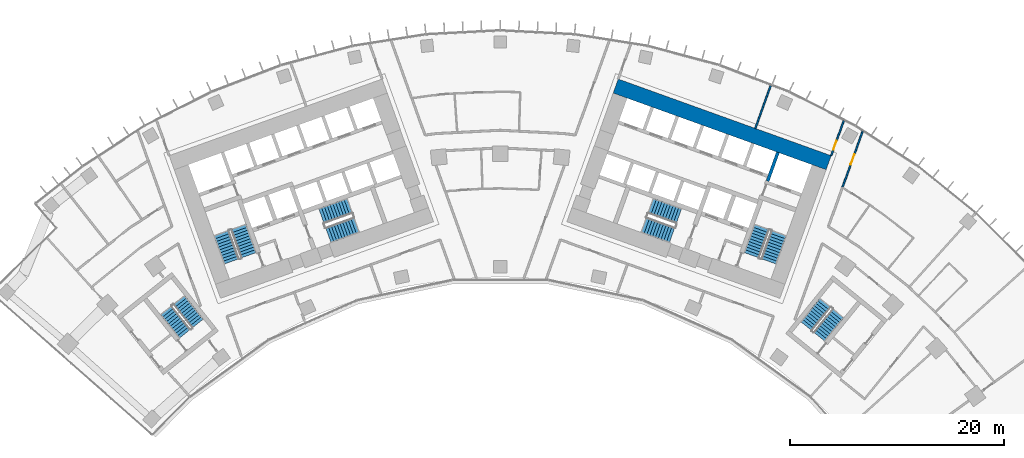
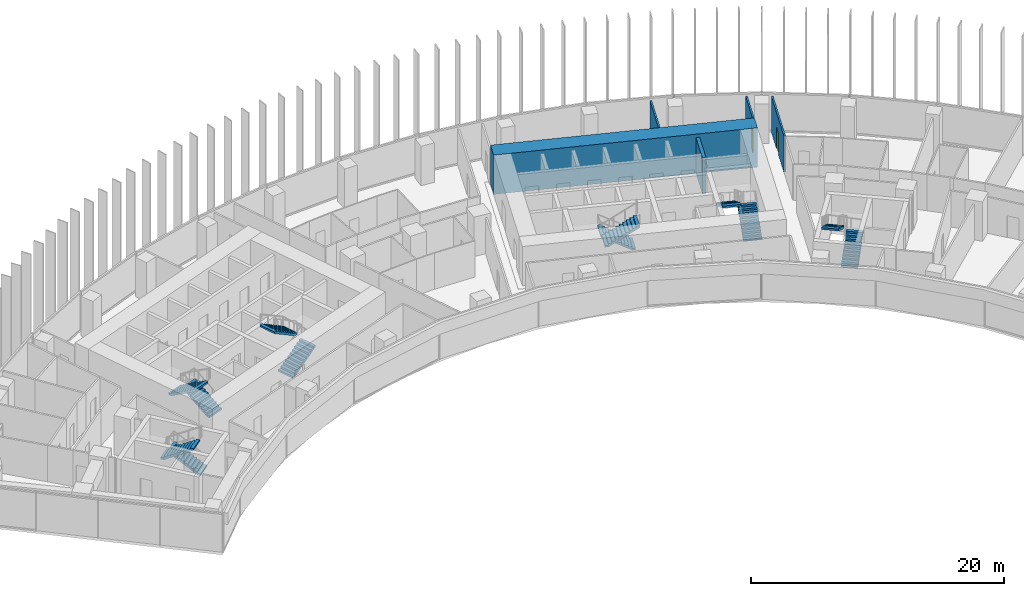
# One storey, part 20 of 22: 12 stair flights, 5 walls, 2 doors, 2 openings, 6 elements without a shape of their own.
"""IFC4 building model written with IfcOpenShell, lengths in metres."""

from ifc_helpers import new_model, si_unit, direction, frame, frame_2d, origin, place, context, subcontext, project, spatial, polyline, rectangle, outline, extrude, material, layer, layer_set, type_object, element, fill, aggregate, save


model = new_model("IFC4")

# Units and contexts
model_context = context("Model", 3, precision=1e-05, world=origin(), true_north=direction((0.0, 1.0)))
body_context = subcontext(model_context, "Body", "Model", "MODEL_VIEW")
ifc_project = project(units=[si_unit("LENGTHUNIT", "METRE"), si_unit("AREAUNIT", "SQUARE_METRE"), si_unit("VOLUMEUNIT", "CUBIC_METRE"), si_unit("PLANEANGLEUNIT", "RADIAN"), si_unit("MASSUNIT", "GRAM", prefix="KILO")], contexts=[model_context])

# Site, building, storey
site_placement = place(None, origin())
site = spatial("IfcSite", under=ifc_project, at=site_placement, CompositionType="ELEMENT")
building_placement = place(site_placement, origin())
building = spatial("IfcBuilding", under=site, at=building_placement, Name="Stone Belt Terrace Tower", CompositionType="ELEMENT")
storey_placement = place(building_placement, frame((0.0, 0.0, 121.199951171875)))
storey = spatial("IfcBuildingStorey", under=building, at=storey_placement, Name="L29", CompositionType="ELEMENT", Elevation=121.199951171875)

# Walls
ifc_material_1 = material(Name="Concrete B80", Category="concrete")
ifc_layer_1 = layer(ifc_material_1, 1.39990234375)
ifc_layer_set_1 = layer_set([ifc_layer_1], Name="Core wall 1400 B80")
wall_type_1 = type_object("IfcWallType", Name="Core wall 1400 B80", PredefinedType="SHEAR", material=ifc_layer_set_1)
wall_1_placement = place(storey_placement, frame((10.81787109375, 61.362060546875, 0.0), z_axis=(0.0, 0.0, 1.0), x_axis=(0.940919704758, -0.338629752382, 0.0)))
element("IfcWall", 1, at=wall_1_placement, inside=storey, type_object=wall_type_1, Name="Core B wall convex L29", PredefinedType="SHEAR", context=body_context, shape_type="SweptSolid", body=[
    extrude(rectangle(XDim=21.199951171875, YDim=1.39990234375, at=frame_2d((10.60009765625, 0.0))), origin(), (0.0, 0.0, 1.0), 3.800048828125),
])
ifc_layer_2 = layer(ifc_material_1, 0.300048828125)
ifc_layer_set_2 = layer_set([ifc_layer_2], Name="Lift shaft wall 300")
wall_type_2 = type_object("IfcWallType", Name="Lift shaft wall 300", PredefinedType="SHEAR", material=ifc_layer_set_2)
wall_2_placement = place(storey_placement, frame((25.046875, 52.46826171875, 0.0), z_axis=(0.0, 0.0, 1.0), x_axis=(0.338549588058, 0.940948551423, 0.0)))
element("IfcWall", 2, at=wall_2_placement, inside=storey, type_object=wall_type_2, Name="Core B wall", PredefinedType="SHEAR", context=body_context, shape_type="SweptSolid", body=[
    extrude(rectangle(XDim=2.849853515625, YDim=0.300048828125, at=frame_2d((1.4248046875, 0.0))), origin(), (0.0, 0.0, 1.0), 3.47998046875),
])

# Wall, opening, door
ifc_material_2 = material(Name="Gypsum board partition")
ifc_layer_3 = layer(ifc_material_2, 0.14990234375)
ifc_layer_set_3 = layer_set([ifc_layer_3], Name="PARTITION 150 EI 60")
wall_type_3 = type_object("IfcWallType", Name="PARTITION 150 EI 60", PredefinedType="PARTITIONING", material=ifc_layer_set_3)
wall_3_placement = place(storey_placement, frame((31.001953125, 54.842041015625, 0.0), z_axis=(0.0, 0.0, 1.0), x_axis=(0.338662585219, 0.940907887826, 0.0)))
wall_3 = element("IfcWall", 3, at=wall_3_placement, inside=storey, type_object=wall_type_3, Name="L29/wall/i026", PredefinedType="PARTITIONING", context=body_context, shape_type="SweptSolid", body=[
    extrude(rectangle(XDim=3.49560546875, YDim=0.14990234375, at=frame_2d((1.747802734375, 0.0))), origin(), (0.0, 0.0, 1.0), 3.47998046875),
])
opening_1_placement = place(wall_3_placement, frame((0.599365234375, 0.0, 0.0)))
opening_1 = element("IfcOpeningElement", 4, at=opening_1_placement, cuts=wall_3, Name="Opening D-B4-10", PredefinedType="OPENING", context=body_context, shape_type="SweptSolid", body=[
    extrude(rectangle(XDim=0.89990234375, YDim=2.10009765625, at=frame_2d((0.449951171875, 1.050048828125))), frame((0.0, 0.0849609375, 0.0), z_axis=(0.0, -1.0, 0.0), x_axis=(1.0, 0.0, 0.0)), (0.0, 0.0, 1.0), 0.169921875),
])
ifc_material_3 = material(Name="Timber door leaf", Category="wood")
door_type_1 = type_object("IfcDoorType", Name="OFFICE DOOR 900 X 2100", OperationType="NOTDEFINED", PredefinedType="DOOR", material=ifc_material_3)
door_1_placement = place(opening_1_placement, origin())
door_1 = element("IfcDoor", 5, at=door_1_placement, inside=storey, type_object=door_type_1, Name="L29/door/i10", OperationType="SINGLE_SWING_LEFT", OverallHeight=2.10009765625, OverallWidth=0.89990234375, PredefinedType="DOOR", context=body_context, shape_type="SweptSolid", body=[
    extrude(rectangle(XDim=0.89990234375, YDim=2.10009765625, at=frame_2d((0.449951171875, 1.050048828125))), frame((0.0, 0.02490234375, 0.0), z_axis=(0.0, -1.0, 0.0), x_axis=(1.0, 0.0, 0.0)), (0.0, 0.0, 1.0), 0.050048828125),
])
fill(opening_1, door_1)

wall_4_placement = place(storey_placement, frame((33.951904296875, 57.131103515625, 0.0), z_axis=(0.0, 0.0, 1.0), x_axis=(-0.338550092768, -0.940948369831, 0.0)))
wall_4 = element("IfcWall", 6, at=wall_4_placement, inside=storey, type_object=wall_type_3, Name="L29/wall/i029", PredefinedType="PARTITIONING", context=body_context, shape_type="SweptSolid", body=[
    extrude(rectangle(XDim=5.61474609375, YDim=0.14990234375, at=frame_2d((2.807373046875, 0.0))), origin(), (0.0, 0.0, 1.0), 3.47998046875),
])
opening_2_placement = place(wall_4_placement, frame((2.307373046875, 0.0, 0.0)))
opening_2 = element("IfcOpeningElement", 7, at=opening_2_placement, cuts=wall_4, Name="Opening D-B4-22", PredefinedType="OPENING", context=body_context, shape_type="SweptSolid", body=[
    extrude(rectangle(XDim=1.0, YDim=2.10009765625, at=frame_2d((0.5, 1.050048828125))), frame((0.0, 0.0849609375, 0.0), z_axis=(0.0, -1.0, 0.0), x_axis=(1.0, 0.0, 0.0)), (0.0, 0.0, 1.0), 0.169921875),
])
ifc_material_4 = material(Name="Timber fire door leaf", Category="wood")
door_type_2 = type_object("IfcDoorType", Name="TENANCY ENTRANCE DOOR 1000 X 2100", OperationType="NOTDEFINED", PredefinedType="DOOR", material=ifc_material_4)
door_2_placement = place(opening_2_placement, origin())
door_2 = element("IfcDoor", 8, at=door_2_placement, inside=storey, type_object=door_type_2, Name="L29/door/i22", OperationType="SINGLE_SWING_RIGHT", OverallHeight=2.10009765625, OverallWidth=1.0, PredefinedType="DOOR", context=body_context, shape_type="SweptSolid", body=[
    extrude(rectangle(XDim=1.0, YDim=2.10009765625, at=frame_2d((0.5, 1.050048828125))), frame((0.0, 0.02490234375, 0.0), z_axis=(0.0, -1.0, 0.0), x_axis=(1.0, 0.0, 0.0)), (0.0, 0.0, 1.0), 0.050048828125),
])
fill(opening_2, door_2)

# Wall
wall_5_placement = place(storey_placement, frame((25.3359375, 61.406982421875, 0.0), z_axis=(0.0, 0.0, 1.0), x_axis=(-0.338583451115, -0.94093636694, 0.0)))
element("IfcWall", 9, at=wall_5_placement, inside=storey, type_object=wall_type_3, Name="L29/wall/i036", PredefinedType="PARTITIONING", context=body_context, shape_type="SweptSolid", body=[
    extrude(rectangle(XDim=4.258544921875, YDim=0.14990234375, at=frame_2d((2.12939453125, 0.0))), origin(), (0.0, 0.0, 1.0), 3.47998046875),
])

# Stair, stair flights
ifc_material_5 = material(Name="Concrete B40", Category="concrete")
stair_type = type_object("IfcStairType", Name="Exit stair 1500", PredefinedType="HALF_TURN_STAIR", material=ifc_material_5)
stair_1_placement = place(storey_placement, origin())
stair_1 = element("IfcStair", 10, at=stair_1_placement, inside=storey, type_object=stair_type, Name="L29 Exit stair 1 core A", PredefinedType="HALF_TURN_STAIR")
stair_flight_type = type_object("IfcStairFlightType", Name="Stair flight 1500", PredefinedType="STRAIGHT", material=ifc_material_5)
stair_flight_1_placement = place(storey_placement, frame((-23.55322265625, 45.51318359375, 0.0), z_axis=(0.0, 0.0, 1.0), x_axis=(-0.338624396177, 0.940921632398, 0.0)))
stair_flight_1 = element("IfcStairFlight", 11, at=stair_flight_1_placement, type_object=stair_flight_type, Name="ST1A flight 1", NumberOfRisers=11, NumberOfTreads=10, PredefinedType="STRAIGHT", RiserHeight=0.172727273, TreadLength=0.28, context=body_context, shape_type="SweptSolid", body=[
    extrude(outline(polyline([(0.0, 0.0), (0.0, 0.172607421875), (0.280029296875, 0.172607421875), (0.280029296875, 0.345458984375), (0.56005859375, 0.345458984375), (0.56005859375, 0.51806640625), (0.840087890625, 0.51806640625), (0.840087890625, 0.69091796875), (1.1201171875, 0.69091796875), (1.1201171875, 0.863525390625), (1.39990234375, 0.863525390625), (1.39990234375, 1.036376953125), (1.679931640625, 1.036376953125), (1.679931640625, 1.208984375), (1.9599609375, 1.208984375), (1.9599609375, 1.3818359375), (2.239990234375, 1.3818359375), (2.239990234375, 1.554443359375), (2.52001953125, 1.554443359375), (2.52001953125, 1.727294921875), (2.800048828125, 1.727294921875), (2.800048828125, 1.89990234375), (2.800048828125, 1.551025390625), (0.285400390625, 0.0), (0.0, 0.0)])), frame((0.0, 0.75, 0.0), z_axis=(0.0, -1.0, 0.0), x_axis=(1.0, 0.0, 0.0)), (0.0, 0.0, 1.0), 1.5),
])
stair_flight_2_placement = place(storey_placement, frame((-26.10107421875, 47.572021484375, 1.900146484375), z_axis=(0.0, 0.0, 1.0), x_axis=(0.338624396177, -0.940921632398, 0.0)))
stair_flight_2 = element("IfcStairFlight", 12, at=stair_flight_2_placement, type_object=stair_flight_type, Name="ST1A flight 2", NumberOfRisers=11, NumberOfTreads=10, PredefinedType="STRAIGHT", RiserHeight=0.172727273, TreadLength=0.28, context=body_context, shape_type="SweptSolid", body=[
    extrude(outline(polyline([(0.0, 0.0), (0.0, 0.172607421875), (0.280029296875, 0.172607421875), (0.280029296875, 0.345458984375), (0.56005859375, 0.345458984375), (0.56005859375, 0.51806640625), (0.840087890625, 0.51806640625), (0.840087890625, 0.69091796875), (1.1201171875, 0.69091796875), (1.1201171875, 0.863525390625), (1.39990234375, 0.863525390625), (1.39990234375, 1.036376953125), (1.679931640625, 1.036376953125), (1.679931640625, 1.208984375), (1.9599609375, 1.208984375), (1.9599609375, 1.3818359375), (2.239990234375, 1.3818359375), (2.239990234375, 1.554443359375), (2.52001953125, 1.554443359375), (2.52001953125, 1.727294921875), (2.800048828125, 1.727294921875), (2.800048828125, 1.89990234375), (2.800048828125, 1.551025390625), (0.285400390625, 0.0), (0.0, 0.0)])), frame((0.0, 0.75, 0.0), z_axis=(0.0, -1.0, 0.0), x_axis=(1.0, 0.0, 0.0)), (0.0, 0.0, 1.0), 1.5),
])
aggregate(stair_1, [stair_flight_1, stair_flight_2])

stair_2_placement = place(storey_placement, origin())
stair_2 = element("IfcStair", 13, at=stair_2_placement, inside=storey, type_object=stair_type, Name="L29 Exit stair 2 core A", PredefinedType="HALF_TURN_STAIR")
stair_flight_3_placement = place(storey_placement, frame((-16.101318359375, 47.39794921875, 0.0), z_axis=(0.0, 0.0, 1.0), x_axis=(0.940921632398, 0.338624396177, 0.0)))
stair_flight_3 = element("IfcStairFlight", 14, at=stair_flight_3_placement, type_object=stair_flight_type, Name="ST2A flight 1", NumberOfRisers=11, NumberOfTreads=10, PredefinedType="STRAIGHT", RiserHeight=0.172727273, TreadLength=0.28, context=body_context, shape_type="SweptSolid", body=[
    extrude(outline(polyline([(0.0, 0.0), (0.0, 0.172607421875), (0.280029296875, 0.172607421875), (0.280029296875, 0.345458984375), (0.56005859375, 0.345458984375), (0.56005859375, 0.51806640625), (0.840087890625, 0.51806640625), (0.840087890625, 0.69091796875), (1.1201171875, 0.69091796875), (1.1201171875, 0.863525390625), (1.39990234375, 0.863525390625), (1.39990234375, 1.036376953125), (1.679931640625, 1.036376953125), (1.679931640625, 1.208984375), (1.9599609375, 1.208984375), (1.9599609375, 1.3818359375), (2.239990234375, 1.3818359375), (2.239990234375, 1.554443359375), (2.52001953125, 1.554443359375), (2.52001953125, 1.727294921875), (2.800048828125, 1.727294921875), (2.800048828125, 1.89990234375), (2.800048828125, 1.551025390625), (0.285400390625, 0.0), (0.0, 0.0)])), frame((0.0, 0.75, 0.0), z_axis=(0.0, -1.0, 0.0), x_axis=(1.0, 0.0, 0.0)), (0.0, 0.0, 1.0), 1.5),
])
stair_flight_4_placement = place(storey_placement, frame((-14.110107421875, 50.1337890625, 1.900146484375), z_axis=(0.0, 0.0, 1.0), x_axis=(-0.940921632398, -0.338624396177, 0.0)))
stair_flight_4 = element("IfcStairFlight", 15, at=stair_flight_4_placement, type_object=stair_flight_type, Name="ST2A flight 2", NumberOfRisers=11, NumberOfTreads=10, PredefinedType="STRAIGHT", RiserHeight=0.172727273, TreadLength=0.28, context=body_context, shape_type="SweptSolid", body=[
    extrude(outline(polyline([(0.0, 0.0), (0.0, 0.172607421875), (0.280029296875, 0.172607421875), (0.280029296875, 0.345458984375), (0.56005859375, 0.345458984375), (0.56005859375, 0.51806640625), (0.840087890625, 0.51806640625), (0.840087890625, 0.69091796875), (1.1201171875, 0.69091796875), (1.1201171875, 0.863525390625), (1.39990234375, 0.863525390625), (1.39990234375, 1.036376953125), (1.679931640625, 1.036376953125), (1.679931640625, 1.208984375), (1.9599609375, 1.208984375), (1.9599609375, 1.3818359375), (2.239990234375, 1.3818359375), (2.239990234375, 1.554443359375), (2.52001953125, 1.554443359375), (2.52001953125, 1.727294921875), (2.800048828125, 1.727294921875), (2.800048828125, 1.89990234375), (2.800048828125, 1.551025390625), (0.285400390625, 0.0), (0.0, 0.0)])), frame((0.0, 0.75, 0.0), z_axis=(0.0, -1.0, 0.0), x_axis=(1.0, 0.0, 0.0)), (0.0, 0.0, 1.0), 1.5),
])
aggregate(stair_2, [stair_flight_3, stair_flight_4])

stair_3_placement = place(storey_placement, origin())
stair_3 = element("IfcStair", 16, at=stair_3_placement, inside=storey, type_object=stair_type, Name="L29 Exit stair 1 core B", PredefinedType="HALF_TURN_STAIR")
stair_flight_5_placement = place(storey_placement, frame((25.15283203125, 44.9375, 0.0), z_axis=(0.0, 0.0, 1.0), x_axis=(0.338624396177, 0.940921632398, 0.0)))
stair_flight_5 = element("IfcStairFlight", 17, at=stair_flight_5_placement, type_object=stair_flight_type, Name="ST1B flight 1", NumberOfRisers=11, NumberOfTreads=10, PredefinedType="STRAIGHT", RiserHeight=0.172727273, TreadLength=0.28, context=body_context, shape_type="SweptSolid", body=[
    extrude(outline(polyline([(0.0, 0.0), (0.0, 0.172607421875), (0.280029296875, 0.172607421875), (0.280029296875, 0.345458984375), (0.56005859375, 0.345458984375), (0.56005859375, 0.51806640625), (0.840087890625, 0.51806640625), (0.840087890625, 0.69091796875), (1.1201171875, 0.69091796875), (1.1201171875, 0.863525390625), (1.39990234375, 0.863525390625), (1.39990234375, 1.036376953125), (1.679931640625, 1.036376953125), (1.679931640625, 1.208984375), (1.9599609375, 1.208984375), (1.9599609375, 1.3818359375), (2.239990234375, 1.3818359375), (2.239990234375, 1.554443359375), (2.52001953125, 1.554443359375), (2.52001953125, 1.727294921875), (2.800048828125, 1.727294921875), (2.800048828125, 1.89990234375), (2.800048828125, 1.551025390625), (0.285400390625, 0.0), (0.0, 0.0)])), frame((0.0, 0.75, 0.0), z_axis=(0.0, -1.0, 0.0), x_axis=(1.0, 0.0, 0.0)), (0.0, 0.0, 1.0), 1.5),
])
stair_flight_6_placement = place(storey_placement, frame((24.50146484375, 48.147705078125, 1.900146484375), z_axis=(0.0, 0.0, 1.0), x_axis=(-0.338624396177, -0.940921632398, 0.0)))
stair_flight_6 = element("IfcStairFlight", 18, at=stair_flight_6_placement, type_object=stair_flight_type, Name="ST1B flight 2", NumberOfRisers=11, NumberOfTreads=10, PredefinedType="STRAIGHT", RiserHeight=0.172727273, TreadLength=0.28, context=body_context, shape_type="SweptSolid", body=[
    extrude(outline(polyline([(0.0, 0.0), (0.0, 0.172607421875), (0.280029296875, 0.172607421875), (0.280029296875, 0.345458984375), (0.56005859375, 0.345458984375), (0.56005859375, 0.51806640625), (0.840087890625, 0.51806640625), (0.840087890625, 0.69091796875), (1.1201171875, 0.69091796875), (1.1201171875, 0.863525390625), (1.39990234375, 0.863525390625), (1.39990234375, 1.036376953125), (1.679931640625, 1.036376953125), (1.679931640625, 1.208984375), (1.9599609375, 1.208984375), (1.9599609375, 1.3818359375), (2.239990234375, 1.3818359375), (2.239990234375, 1.554443359375), (2.52001953125, 1.554443359375), (2.52001953125, 1.727294921875), (2.800048828125, 1.727294921875), (2.800048828125, 1.89990234375), (2.800048828125, 1.551025390625), (0.285400390625, 0.0), (0.0, 0.0)])), frame((0.0, 0.75, 0.0), z_axis=(0.0, -1.0, 0.0), x_axis=(1.0, 0.0, 0.0)), (0.0, 0.0, 1.0), 1.5),
])
aggregate(stair_3, [stair_flight_5, stair_flight_6])

stair_4_placement = place(storey_placement, origin())
stair_4 = element("IfcStair", 19, at=stair_4_placement, inside=storey, type_object=stair_type, Name="L29 Exit stair 2 core B", PredefinedType="HALF_TURN_STAIR")
stair_flight_7_placement = place(storey_placement, frame((16.74462890625, 49.185546875, 0.0), z_axis=(0.0, 0.0, 1.0), x_axis=(-0.940921632398, 0.338624396177, 0.0)))
stair_flight_7 = element("IfcStairFlight", 20, at=stair_flight_7_placement, type_object=stair_flight_type, Name="ST2B flight 1", NumberOfRisers=11, NumberOfTreads=10, PredefinedType="STRAIGHT", RiserHeight=0.172727273, TreadLength=0.28, context=body_context, shape_type="SweptSolid", body=[
    extrude(outline(polyline([(0.0, 0.0), (0.0, 0.172607421875), (0.280029296875, 0.172607421875), (0.280029296875, 0.345458984375), (0.56005859375, 0.345458984375), (0.56005859375, 0.51806640625), (0.840087890625, 0.51806640625), (0.840087890625, 0.69091796875), (1.1201171875, 0.69091796875), (1.1201171875, 0.863525390625), (1.39990234375, 0.863525390625), (1.39990234375, 1.036376953125), (1.679931640625, 1.036376953125), (1.679931640625, 1.208984375), (1.9599609375, 1.208984375), (1.9599609375, 1.3818359375), (2.239990234375, 1.3818359375), (2.239990234375, 1.554443359375), (2.52001953125, 1.554443359375), (2.52001953125, 1.727294921875), (2.800048828125, 1.727294921875), (2.800048828125, 1.89990234375), (2.800048828125, 1.551025390625), (0.285400390625, 0.0), (0.0, 0.0)])), frame((0.0, 0.75, 0.0), z_axis=(0.0, -1.0, 0.0), x_axis=(1.0, 0.0, 0.0)), (0.0, 0.0, 1.0), 1.5),
])
stair_flight_8_placement = place(storey_placement, frame((13.466796875, 48.345947265625, 1.900146484375), z_axis=(0.0, 0.0, 1.0), x_axis=(0.940921632398, -0.338624396177, 0.0)))
stair_flight_8 = element("IfcStairFlight", 21, at=stair_flight_8_placement, type_object=stair_flight_type, Name="ST2B flight 2", NumberOfRisers=11, NumberOfTreads=10, PredefinedType="STRAIGHT", RiserHeight=0.172727273, TreadLength=0.28, context=body_context, shape_type="SweptSolid", body=[
    extrude(outline(polyline([(0.0, 0.0), (0.0, 0.172607421875), (0.280029296875, 0.172607421875), (0.280029296875, 0.345458984375), (0.56005859375, 0.345458984375), (0.56005859375, 0.51806640625), (0.840087890625, 0.51806640625), (0.840087890625, 0.69091796875), (1.1201171875, 0.69091796875), (1.1201171875, 0.863525390625), (1.39990234375, 0.863525390625), (1.39990234375, 1.036376953125), (1.679931640625, 1.036376953125), (1.679931640625, 1.208984375), (1.9599609375, 1.208984375), (1.9599609375, 1.3818359375), (2.239990234375, 1.3818359375), (2.239990234375, 1.554443359375), (2.52001953125, 1.554443359375), (2.52001953125, 1.727294921875), (2.800048828125, 1.727294921875), (2.800048828125, 1.89990234375), (2.800048828125, 1.551025390625), (0.285400390625, 0.0), (0.0, 0.0)])), frame((0.0, 0.75, 0.0), z_axis=(0.0, -1.0, 0.0), x_axis=(1.0, 0.0, 0.0)), (0.0, 0.0, 1.0), 1.5),
])
aggregate(stair_4, [stair_flight_7, stair_flight_8])

stair_5_placement = place(storey_placement, origin())
stair_5 = element("IfcStair", 22, at=stair_5_placement, inside=storey, type_object=stair_type, Name="L29 Exit stair 3A", PredefinedType="HALF_TURN_STAIR")
stair_flight_9_placement = place(storey_placement, frame((-28.325439453125, 39.1240234375, 0.0), z_axis=(0.0, 0.0, 1.0), x_axis=(-0.623121363691, 0.782125160132, 0.0)))
stair_flight_9 = element("IfcStairFlight", 23, at=stair_flight_9_placement, type_object=stair_flight_type, Name="ST3A flight 1", NumberOfRisers=11, NumberOfTreads=10, PredefinedType="STRAIGHT", RiserHeight=0.172727273, TreadLength=0.28, context=body_context, shape_type="SweptSolid", body=[
    extrude(outline(polyline([(0.0, 0.0), (0.0, 0.172607421875), (0.280029296875, 0.172607421875), (0.280029296875, 0.345458984375), (0.56005859375, 0.345458984375), (0.56005859375, 0.51806640625), (0.840087890625, 0.51806640625), (0.840087890625, 0.69091796875), (1.1201171875, 0.69091796875), (1.1201171875, 0.863525390625), (1.39990234375, 0.863525390625), (1.39990234375, 1.036376953125), (1.679931640625, 1.036376953125), (1.679931640625, 1.208984375), (1.9599609375, 1.208984375), (1.9599609375, 1.3818359375), (2.239990234375, 1.3818359375), (2.239990234375, 1.554443359375), (2.52001953125, 1.554443359375), (2.52001953125, 1.727294921875), (2.800048828125, 1.727294921875), (2.800048828125, 1.89990234375), (2.800048828125, 1.551025390625), (0.285400390625, 0.0), (0.0, 0.0)])), frame((0.0, 0.675048828125, 0.0), z_axis=(0.0, -1.0, 0.0), x_axis=(1.0, 0.0, 0.0)), (0.0, 0.0, 1.0), 1.35009765625),
])
stair_flight_10_placement = place(storey_placement, frame((-31.282470703125, 40.34814453125, 1.900146484375), z_axis=(0.0, 0.0, 1.0), x_axis=(0.623121363691, -0.782125160132, 0.0)))
stair_flight_10 = element("IfcStairFlight", 24, at=stair_flight_10_placement, type_object=stair_flight_type, Name="ST3A flight 2", NumberOfRisers=11, NumberOfTreads=10, PredefinedType="STRAIGHT", RiserHeight=0.172727273, TreadLength=0.28, context=body_context, shape_type="SweptSolid", body=[
    extrude(outline(polyline([(0.0, 0.0), (0.0, 0.172607421875), (0.280029296875, 0.172607421875), (0.280029296875, 0.345458984375), (0.56005859375, 0.345458984375), (0.56005859375, 0.51806640625), (0.840087890625, 0.51806640625), (0.840087890625, 0.69091796875), (1.1201171875, 0.69091796875), (1.1201171875, 0.863525390625), (1.39990234375, 0.863525390625), (1.39990234375, 1.036376953125), (1.679931640625, 1.036376953125), (1.679931640625, 1.208984375), (1.9599609375, 1.208984375), (1.9599609375, 1.3818359375), (2.239990234375, 1.3818359375), (2.239990234375, 1.554443359375), (2.52001953125, 1.554443359375), (2.52001953125, 1.727294921875), (2.800048828125, 1.727294921875), (2.800048828125, 1.89990234375), (2.800048828125, 1.551025390625), (0.285400390625, 0.0), (0.0, 0.0)])), frame((0.0, 0.675048828125, 0.0), z_axis=(0.0, -1.0, 0.0), x_axis=(1.0, 0.0, 0.0)), (0.0, 0.0, 1.0), 1.35009765625),
])
aggregate(stair_5, [stair_flight_9, stair_flight_10])

stair_6_placement = place(storey_placement, origin())
stair_6 = element("IfcStair", 25, at=stair_6_placement, inside=storey, type_object=stair_type, Name="L29 Exit stair 3B", PredefinedType="HALF_TURN_STAIR")
stair_flight_11_placement = place(storey_placement, frame((29.88330078125, 37.887939453125, 0.0), z_axis=(0.0, 0.0, 1.0), x_axis=(0.630205749599, 0.776428176441, 0.0)))
stair_flight_11 = element("IfcStairFlight", 26, at=stair_flight_11_placement, type_object=stair_flight_type, Name="ST3B flight 1", NumberOfRisers=11, NumberOfTreads=10, PredefinedType="STRAIGHT", RiserHeight=0.172727273, TreadLength=0.28, context=body_context, shape_type="SweptSolid", body=[
    extrude(outline(polyline([(0.0, 0.0), (0.0, 0.172607421875), (0.280029296875, 0.172607421875), (0.280029296875, 0.345458984375), (0.56005859375, 0.345458984375), (0.56005859375, 0.51806640625), (0.840087890625, 0.51806640625), (0.840087890625, 0.69091796875), (1.1201171875, 0.69091796875), (1.1201171875, 0.863525390625), (1.39990234375, 0.863525390625), (1.39990234375, 1.036376953125), (1.679931640625, 1.036376953125), (1.679931640625, 1.208984375), (1.9599609375, 1.208984375), (1.9599609375, 1.3818359375), (2.239990234375, 1.3818359375), (2.239990234375, 1.554443359375), (2.52001953125, 1.554443359375), (2.52001953125, 1.727294921875), (2.800048828125, 1.727294921875), (2.800048828125, 1.89990234375), (2.800048828125, 1.551025390625), (0.285400390625, 0.0), (0.0, 0.0)])), frame((0.0, 0.675048828125, 0.0), z_axis=(0.0, -1.0, 0.0), x_axis=(1.0, 0.0, 0.0)), (0.0, 0.0, 1.0), 1.35009765625),
])
stair_flight_12_placement = place(storey_placement, frame((30.4443359375, 41.038818359375, 1.900146484375), z_axis=(0.0, 0.0, 1.0), x_axis=(-0.630205749599, -0.776428176441, 0.0)))
stair_flight_12 = element("IfcStairFlight", 27, at=stair_flight_12_placement, type_object=stair_flight_type, Name="ST3B flight 2", NumberOfRisers=11, NumberOfTreads=10, PredefinedType="STRAIGHT", RiserHeight=0.172727273, TreadLength=0.28, context=body_context, shape_type="SweptSolid", body=[
    extrude(outline(polyline([(0.0, 0.0), (0.0, 0.172607421875), (0.280029296875, 0.172607421875), (0.280029296875, 0.345458984375), (0.56005859375, 0.345458984375), (0.56005859375, 0.51806640625), (0.840087890625, 0.51806640625), (0.840087890625, 0.69091796875), (1.1201171875, 0.69091796875), (1.1201171875, 0.863525390625), (1.39990234375, 0.863525390625), (1.39990234375, 1.036376953125), (1.679931640625, 1.036376953125), (1.679931640625, 1.208984375), (1.9599609375, 1.208984375), (1.9599609375, 1.3818359375), (2.239990234375, 1.3818359375), (2.239990234375, 1.554443359375), (2.52001953125, 1.554443359375), (2.52001953125, 1.727294921875), (2.800048828125, 1.727294921875), (2.800048828125, 1.89990234375), (2.800048828125, 1.551025390625), (0.285400390625, 0.0), (0.0, 0.0)])), frame((0.0, 0.675048828125, 0.0), z_axis=(0.0, -1.0, 0.0), x_axis=(1.0, 0.0, 0.0)), (0.0, 0.0, 1.0), 1.35009765625),
])
aggregate(stair_6, [stair_flight_11, stair_flight_12])

save(model, "model.ifc")
